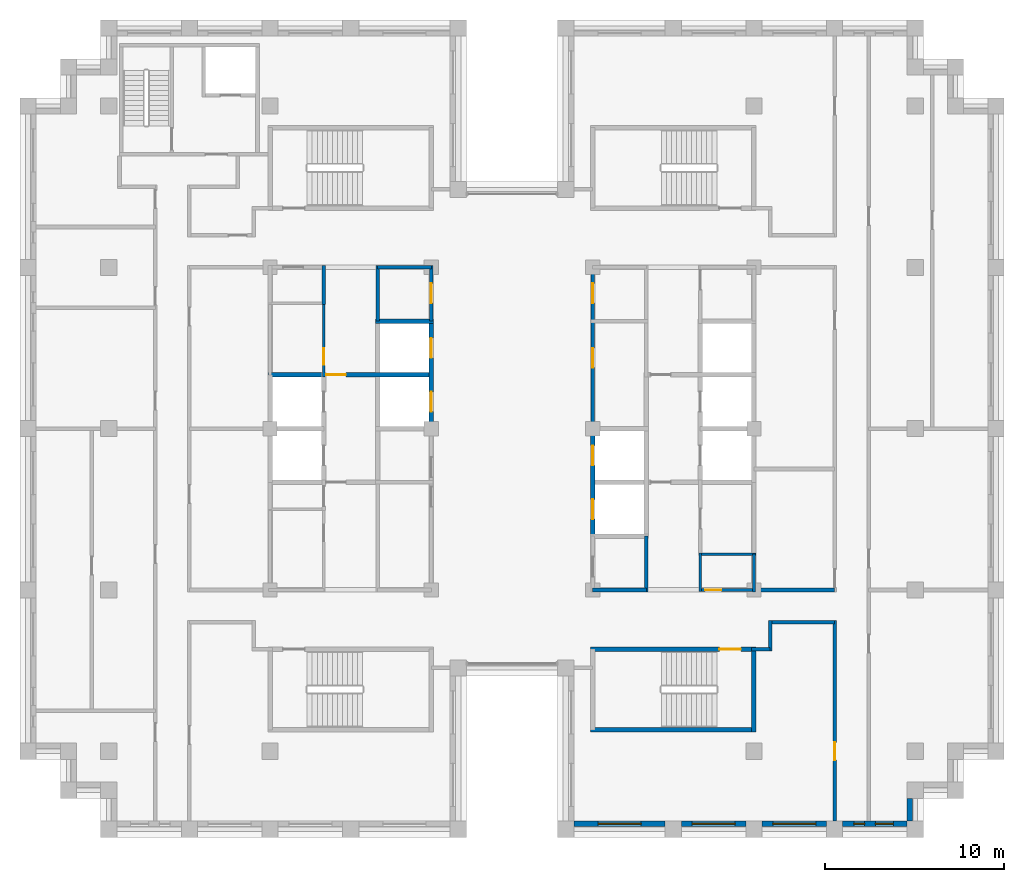
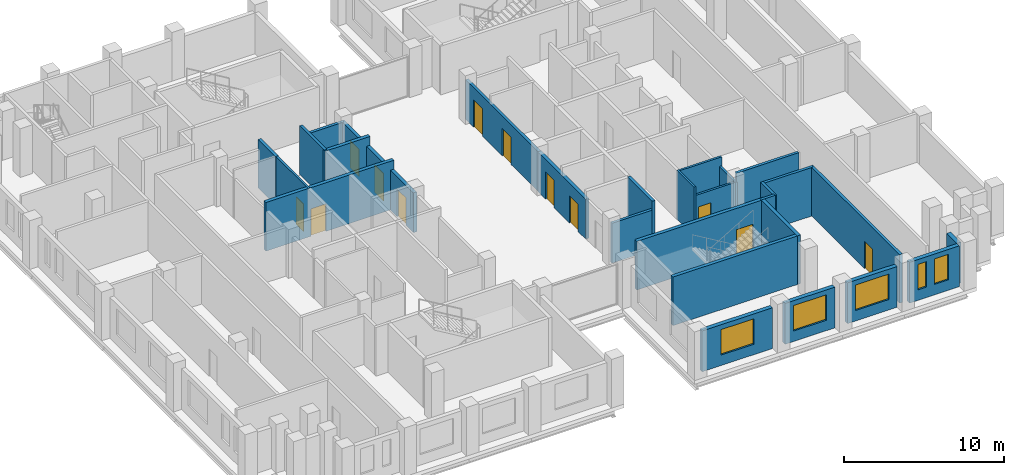
# One storey, part 8 of 13: 29 walls, 12 doors, 5 windows, 17 openings.
"""IFC4 building model written with IfcOpenShell, lengths in metres."""

from ifc_helpers import new_model, si_unit, direction, frame, frame_2d, origin, place, context, subcontext, project, spatial, rectangle, extrude, material, layer, layer_set, type_object, element, fill, save


model = new_model("IFC4")

# Units and contexts
model_context = context("Model", 3, precision=1e-05, world=origin(), true_north=direction((0.0, 1.0)))
body_context = subcontext(model_context, "Body", "Model", "MODEL_VIEW")
ifc_project = project(units=[si_unit("LENGTHUNIT", "METRE"), si_unit("AREAUNIT", "SQUARE_METRE"), si_unit("VOLUMEUNIT", "CUBIC_METRE"), si_unit("PLANEANGLEUNIT", "RADIAN"), si_unit("MASSUNIT", "GRAM", prefix="KILO")], contexts=[model_context])

# Site, building, storey
site_placement = place(None, origin())
site = spatial("IfcSite", under=ifc_project, at=site_placement, CompositionType="ELEMENT")
building_placement = place(site_placement, origin())
building = spatial("IfcBuilding", under=site, at=building_placement, Name="Corbelhall Arena Tower", CompositionType="ELEMENT")
storey_placement = place(building_placement, frame((0.0, 0.0, 270.0)))
storey = spatial("IfcBuildingStorey", under=building, at=storey_placement, Name="L58", CompositionType="ELEMENT", Elevation=270.0)

# Wall, opening, window
ifc_material_1 = material(Name="Precast concrete C40/50 with granite facing", Category="masonry")
ifc_layer_1 = layer(ifc_material_1, 0.300048828125)
ifc_layer_set_1 = layer_set([ifc_layer_1], Name="EV-IW1 Infill panel 300")
wall_type_1 = type_object("IfcWallType", Name="EV-IW1 Infill panel 300", PredefinedType="SOLIDWALL", material=ifc_layer_set_1)
wall_1_placement = place(storey_placement, frame((3.449951171875, -22.050048828125, 0.0), z_axis=(0.0, 0.0, 1.0), x_axis=(1.0, 0.0, 0.0)))
wall_1 = element("IfcWall", 1, at=wall_1_placement, inside=storey, type_object=wall_type_1, Name="Infill panel IW1", PredefinedType="SOLIDWALL", context=body_context, shape_type="SweptSolid", body=[
    extrude(rectangle(XDim=5.10009765625, YDim=0.300048828125, at=frame_2d((2.550048828125, 0.0))), origin(), (0.0, 0.0, 1.0), 3.1201171875),
])
opening_1_placement = place(wall_1_placement, frame((1.35009765625, 0.0, 0.800048828125)))
opening_1 = element("IfcOpeningElement", 2, at=opening_1_placement, cuts=wall_1, Name="Opening WN1", PredefinedType="OPENING", context=body_context, shape_type="SweptSolid", body=[
    extrude(rectangle(XDim=2.39990234375, YDim=1.949951171875, at=frame_2d((1.199951171875, 0.97509765625))), frame((0.0, 0.14990234375, 0.0), z_axis=(0.0, -1.0, 0.0), x_axis=(1.0, 0.0, 0.0)), (0.0, 0.0, 1.0), 0.300048828125),
])
ifc_material_2 = material(Name="Aluminium black anodised", Category="aluminium")
window_type_1 = type_object("IfcWindowType", Name="EV-WN1 Office window", PartitioningType="SINGLE_PANEL", PredefinedType="WINDOW", material=ifc_material_2)
window_1_placement = place(opening_1_placement, origin())
window_1 = element("IfcWindow", 3, at=window_1_placement, inside=storey, type_object=window_type_1, Name="Window WN1", OverallHeight=1.949951171875, OverallWidth=2.39990234375, PartitioningType="SINGLE_PANEL", PredefinedType="WINDOW", context=body_context, shape_type="SweptSolid", body=[
    extrude(rectangle(XDim=2.39990234375, YDim=1.949951171875, at=frame_2d((1.199951171875, 0.97509765625))), frame((0.0, 0.030029296875, 0.0), z_axis=(0.0, -1.0, 0.0), x_axis=(1.0, 0.0, 0.0)), (0.0, 0.0, 1.0), 0.06005859375),
])
fill(opening_1, window_1)

wall_2_placement = place(storey_placement, frame((9.449951171875, -22.050048828125, 0.0), z_axis=(0.0, 0.0, 1.0), x_axis=(1.0, 0.0, 0.0)))
wall_2 = element("IfcWall", 4, at=wall_2_placement, inside=storey, type_object=wall_type_1, Name="Infill panel IW1", PredefinedType="SOLIDWALL", context=body_context, shape_type="SweptSolid", body=[
    extrude(rectangle(XDim=3.60009765625, YDim=0.300048828125, at=frame_2d((1.800048828125, 0.0))), origin(), (0.0, 0.0, 1.0), 3.1201171875),
])
opening_2_placement = place(wall_2_placement, frame((0.60009765625, 0.0, 0.800048828125)))
opening_2 = element("IfcOpeningElement", 5, at=opening_2_placement, cuts=wall_2, Name="Opening WN1", PredefinedType="OPENING", context=body_context, shape_type="SweptSolid", body=[
    extrude(rectangle(XDim=2.39990234375, YDim=1.949951171875, at=frame_2d((1.199951171875, 0.97509765625))), frame((0.0, 0.14990234375, 0.0), z_axis=(0.0, -1.0, 0.0), x_axis=(1.0, 0.0, 0.0)), (0.0, 0.0, 1.0), 0.300048828125),
])
window_2_placement = place(opening_2_placement, origin())
window_2 = element("IfcWindow", 6, at=window_2_placement, inside=storey, type_object=window_type_1, Name="Window WN1", OverallHeight=1.949951171875, OverallWidth=2.39990234375, PartitioningType="SINGLE_PANEL", PredefinedType="WINDOW", context=body_context, shape_type="SweptSolid", body=[
    extrude(rectangle(XDim=2.39990234375, YDim=1.949951171875, at=frame_2d((1.199951171875, 0.97509765625))), frame((0.0, 0.030029296875, 0.0), z_axis=(0.0, -1.0, 0.0), x_axis=(1.0, 0.0, 0.0)), (0.0, 0.0, 1.0), 0.06005859375),
])
fill(opening_2, window_2)

wall_3_placement = place(storey_placement, frame((13.949951171875, -22.050048828125, 0.0), z_axis=(0.0, 0.0, 1.0), x_axis=(1.0, 0.0, 0.0)))
wall_3 = element("IfcWall", 7, at=wall_3_placement, inside=storey, type_object=wall_type_1, Name="Infill panel IW1", PredefinedType="SOLIDWALL", context=body_context, shape_type="SweptSolid", body=[
    extrude(rectangle(XDim=3.60009765625, YDim=0.300048828125, at=frame_2d((1.800048828125, 0.0))), origin(), (0.0, 0.0, 1.0), 3.1201171875),
])
opening_3_placement = place(wall_3_placement, frame((0.60009765625, 0.0, 0.800048828125)))
opening_3 = element("IfcOpeningElement", 8, at=opening_3_placement, cuts=wall_3, Name="Opening WN1", PredefinedType="OPENING", context=body_context, shape_type="SweptSolid", body=[
    extrude(rectangle(XDim=2.39990234375, YDim=1.949951171875, at=frame_2d((1.199951171875, 0.97509765625))), frame((0.0, 0.14990234375, 0.0), z_axis=(0.0, -1.0, 0.0), x_axis=(1.0, 0.0, 0.0)), (0.0, 0.0, 1.0), 0.300048828125),
])
window_3_placement = place(opening_3_placement, origin())
window_3 = element("IfcWindow", 9, at=window_3_placement, inside=storey, type_object=window_type_1, Name="Window WN1", OverallHeight=1.949951171875, OverallWidth=2.39990234375, PartitioningType="SINGLE_PANEL", PredefinedType="WINDOW", context=body_context, shape_type="SweptSolid", body=[
    extrude(rectangle(XDim=2.39990234375, YDim=1.949951171875, at=frame_2d((1.199951171875, 0.97509765625))), frame((0.0, 0.030029296875, 0.0), z_axis=(0.0, -1.0, 0.0), x_axis=(1.0, 0.0, 0.0)), (0.0, 0.0, 1.0), 0.06005859375),
])
fill(opening_3, window_3)

# Wall, openings, windows
wall_4_placement = place(storey_placement, frame((18.449951171875, -22.050048828125, 0.0), z_axis=(0.0, 0.0, 1.0), x_axis=(1.0, 0.0, 0.0)))
wall_4 = element("IfcWall", 10, at=wall_4_placement, inside=storey, type_object=wall_type_1, Name="Infill panel IW1", PredefinedType="SOLIDWALL", context=body_context, shape_type="SweptSolid", body=[
    extrude(rectangle(XDim=3.60009765625, YDim=0.300048828125, at=frame_2d((1.800048828125, 0.0))), origin(), (0.0, 0.0, 1.0), 3.1201171875),
])
opening_4_placement = place(wall_4_placement, frame((0.625, 0.0, 0.800048828125)))
opening_4 = element("IfcOpeningElement", 11, at=opening_4_placement, cuts=wall_4, Name="Opening WN5", PredefinedType="OPENING", context=body_context, shape_type="SweptSolid", body=[
    extrude(rectangle(XDim=0.60009765625, YDim=1.949951171875, at=frame_2d((0.300048828125, 0.97509765625))), frame((0.0, 0.14990234375, 0.0), z_axis=(0.0, -1.0, 0.0), x_axis=(1.0, 0.0, 0.0)), (0.0, 0.0, 1.0), 0.300048828125),
])
opening_5_placement = place(wall_4_placement, frame((1.824951171875, 0.0, 0.800048828125)))
opening_5 = element("IfcOpeningElement", 12, at=opening_5_placement, cuts=wall_4, Name="Opening WN6", PredefinedType="OPENING", context=body_context, shape_type="SweptSolid", body=[
    extrude(rectangle(XDim=1.0, YDim=1.949951171875, at=frame_2d((0.5, 0.97509765625))), frame((0.0, 0.14990234375, 0.0), z_axis=(0.0, -1.0, 0.0), x_axis=(1.0, 0.0, 0.0)), (0.0, 0.0, 1.0), 0.300048828125),
])
window_type_2 = type_object("IfcWindowType", Name="EV-WN5 Office window 600", PartitioningType="SINGLE_PANEL", PredefinedType="WINDOW", material=ifc_material_2)
window_4_placement = place(opening_4_placement, origin())
window_4 = element("IfcWindow", 13, at=window_4_placement, inside=storey, type_object=window_type_2, Name="Window WN5", OverallHeight=1.949951171875, OverallWidth=0.60009765625, PartitioningType="SINGLE_PANEL", PredefinedType="WINDOW", context=body_context, shape_type="SweptSolid", body=[
    extrude(rectangle(XDim=0.60009765625, YDim=1.949951171875, at=frame_2d((0.300048828125, 0.97509765625))), frame((0.0, 0.030029296875, 0.0), z_axis=(0.0, -1.0, 0.0), x_axis=(1.0, 0.0, 0.0)), (0.0, 0.0, 1.0), 0.06005859375),
])
fill(opening_4, window_4)
window_type_3 = type_object("IfcWindowType", Name="EV-WN6 Office window 1000", PartitioningType="SINGLE_PANEL", PredefinedType="WINDOW", material=ifc_material_2)
window_5_placement = place(opening_5_placement, origin())
window_5 = element("IfcWindow", 14, at=window_5_placement, inside=storey, type_object=window_type_3, Name="Window WN6", OverallHeight=1.949951171875, OverallWidth=1.0, PartitioningType="SINGLE_PANEL", PredefinedType="WINDOW", context=body_context, shape_type="SweptSolid", body=[
    extrude(rectangle(XDim=1.0, YDim=1.949951171875, at=frame_2d((0.5, 0.97509765625))), frame((0.0, 0.030029296875, 0.0), z_axis=(0.0, -1.0, 0.0), x_axis=(1.0, 0.0, 0.0)), (0.0, 0.0, 1.0), 0.06005859375),
])
fill(opening_5, window_5)

# Walls
wall_5_placement = place(storey_placement, frame((22.199951171875, -21.89990234375, 0.0), z_axis=(0.0, 0.0, 1.0), x_axis=(0.0, 1.0, 0.0)))
element("IfcWall", 15, at=wall_5_placement, inside=storey, type_object=wall_type_1, Name="Infill panel IW1", PredefinedType="SOLIDWALL", context=body_context, shape_type="SweptSolid", body=[
    extrude(rectangle(XDim=1.27490234375, YDim=0.300048828125, at=frame_2d((0.637451171875, 0.0))), origin(), (0.0, 0.0, 1.0), 3.1201171875),
])
ifc_material_3 = material(Name="Gypsum board on steel stud, acoustic", Category="steel")
ifc_layer_2 = layer(ifc_material_3, 0.199951171875)
ifc_layer_set_2 = layer_set([ifc_layer_2], Name="IN-W-DM200")
wall_type_2 = type_object("IfcWallType", Name="IN-W-DM200", PredefinedType="PARTITIONING", material=ifc_layer_set_2)
wall_6_placement = place(storey_placement, frame((13.5, -9.0, 0.0), z_axis=(0.0, 0.0, 1.0), x_axis=(1.0, 0.0, 0.0)))
element("IfcWall", 16, at=wall_6_placement, inside=storey, type_object=wall_type_2, Name="Partition 028", PredefinedType="PARTITIONING", context=body_context, shape_type="SweptSolid", body=[
    extrude(rectangle(XDim=4.5, YDim=0.199951171875, at=frame_2d((2.25, 0.0))), origin(), (0.0, 0.0, 1.0), 3.719970703125),
])
wall_7_placement = place(storey_placement, frame((14.39990234375, -12.300048828125, 0.0), z_axis=(0.0, 0.0, 1.0), x_axis=(-1.0, 0.0, 0.0)))
element("IfcWall", 17, at=wall_7_placement, inside=storey, type_object=wall_type_2, Name="Partition 030", PredefinedType="PARTITIONING", context=body_context, shape_type="SweptSolid", body=[
    extrude(rectangle(XDim=1.02490234375, YDim=0.199951171875, at=frame_2d((0.512451171875, 0.0))), origin(), (0.0, 0.0, 1.0), 3.719970703125),
])
wall_8_placement = place(storey_placement, frame((14.39990234375, -10.699951171875, 0.0), z_axis=(0.0, 0.0, 1.0), x_axis=(0.0, -1.0, 0.0)))
element("IfcWall", 18, at=wall_8_placement, inside=storey, type_object=wall_type_2, Name="Partition 031", PredefinedType="PARTITIONING", context=body_context, shape_type="SweptSolid", body=[
    extrude(rectangle(XDim=1.699951171875, YDim=0.199951171875, at=frame_2d((0.85009765625, 0.0))), origin(), (0.0, 0.0, 1.0), 3.719970703125),
])

# Wall, opening, door
wall_9_placement = place(storey_placement, frame((18.0, -21.89990234375, 0.0), z_axis=(0.0, 0.0, 1.0), x_axis=(0.0, 1.0, 0.0)))
wall_9 = element("IfcWall", 19, at=wall_9_placement, inside=storey, type_object=wall_type_2, Name="Partition 035", PredefinedType="PARTITIONING", context=body_context, shape_type="SweptSolid", body=[
    extrude(rectangle(XDim=11.199951171875, YDim=0.199951171875, at=frame_2d((5.60009765625, 0.0))), origin(), (0.0, 0.0, 1.0), 3.719970703125),
])
opening_6_placement = place(wall_9_placement, frame((3.39990234375, 0.0, 0.0)))
opening_6 = element("IfcOpeningElement", 20, at=opening_6_placement, cuts=wall_9, Name="Opening 18029", PredefinedType="OPENING", context=body_context, shape_type="SweptSolid", body=[
    extrude(rectangle(XDim=1.0, YDim=2.10009765625, at=frame_2d((0.5, 1.050048828125))), frame((0.0, 0.10009765625, 0.0), z_axis=(0.0, -1.0, 0.0), x_axis=(1.0, 0.0, 0.0)), (0.0, 0.0, 1.0), 0.199951171875),
])
ifc_material_4 = material(Name="Steel door set", Category="steel")
door_type_1 = type_object("IfcDoorType", Name="IN-D-SW100", OperationType="NOTDEFINED", PredefinedType="DOOR", material=ifc_material_4)
door_1_placement = place(opening_6_placement, origin())
door_1 = element("IfcDoor", 21, at=door_1_placement, inside=storey, type_object=door_type_1, Name="Door 029", OperationType="SINGLE_SWING_RIGHT", OverallHeight=2.10009765625, OverallWidth=1.0, PredefinedType="DOOR", context=body_context, shape_type="SweptSolid", body=[
    extrude(rectangle(XDim=1.0, YDim=2.10009765625, at=frame_2d((0.5, 1.050048828125))), frame((0.0, 0.02490234375, 0.0), z_axis=(0.0, -1.0, 0.0), x_axis=(1.0, 0.0, 0.0)), (0.0, 0.0, 1.0), 0.050048828125),
])
fill(opening_6, door_1)

# Walls
wall_10_placement = place(storey_placement, frame((18.0, -10.800048828125, 0.0), z_axis=(0.0, 0.0, 1.0), x_axis=(-1.0, 0.0, 0.0)))
element("IfcWall", 22, at=wall_10_placement, inside=storey, type_object=wall_type_2, Name="Partition 036", PredefinedType="PARTITIONING", context=body_context, shape_type="SweptSolid", body=[
    extrude(rectangle(XDim=3.60009765625, YDim=0.199951171875, at=frame_2d((1.800048828125, 0.0))), origin(), (0.0, 0.0, 1.0), 3.719970703125),
])
ifc_material_5 = material(Name="Concrete block wall", Category="concrete")
ifc_layer_3 = layer(ifc_material_5, 0.199951171875)
ifc_layer_set_3 = layer_set([ifc_layer_3], Name="IN-W-RS200")
wall_type_3 = type_object("IfcWallType", Name="IN-W-RS200", PredefinedType="SOLIDWALL", material=ifc_layer_set_3)
wall_11_placement = place(storey_placement, frame((-10.5, 6.925048828125, 0.0), z_axis=(0.0, 0.0, 1.0), x_axis=(0.0, 1.0, 0.0)))
element("IfcWall", 23, at=wall_11_placement, inside=storey, type_object=wall_type_3, Name="Partition 047", PredefinedType="SOLIDWALL", context=body_context, shape_type="SweptSolid", body=[
    extrude(rectangle(XDim=2.175048828125, YDim=0.199951171875, at=frame_2d((1.08740234375, 0.0))), origin(), (0.0, 0.0, 1.0), 3.719970703125),
])
for number, where, z_axis, x_axis, name in (
    (24, (-7.5, 6.0, 0.0), (0.0, 0.0, 1.0), (0.0, 1.0, 0.0), "Partition 050"),
    (25, (7.5, -6.0, 0.0), (0.0, 0.0, 1.0), (0.0, -1.0, 0.0), "Partition 060"),
):
    element("IfcWall", number, at=place(storey_placement, frame(where, z_axis=z_axis, x_axis=x_axis)), inside=storey, type_object=wall_type_3, Name=name, PredefinedType="SOLIDWALL", context=body_context, shape_type="SweptSolid", body=[
        extrude(rectangle(XDim=3.10009765625, YDim=0.199951171875, at=frame_2d((1.550048828125, 0.0))), origin(), (0.0, 0.0, 1.0), 3.719970703125),
    ])
ifc_layer_4 = layer(ifc_material_5, 0.199951171875)
ifc_layer_set_4 = layer_set([ifc_layer_4], Name="IN-W-RS200 under beam 678 mm")
wall_type_4 = type_object("IfcWallType", Name="IN-W-RS200 under beam 678 mm", PredefinedType="SOLIDWALL", material=ifc_layer_set_4)
wall_12_placement = place(storey_placement, frame((-7.5, 9.0, 0.0), z_axis=(0.0, 0.0, 1.0), x_axis=(1.0, 0.0, 0.0)))
element("IfcWall", 26, at=wall_12_placement, inside=storey, type_object=wall_type_4, Name="Partition 051", PredefinedType="SOLIDWALL", context=body_context, shape_type="SweptSolid", body=[
    extrude(rectangle(XDim=3.0, YDim=0.199951171875, at=frame_2d((1.5, 0.0))), origin(), (0.0, 0.0, 1.0), 3.041748046875),
])

# Wall, opening, door
wall_13_placement = place(storey_placement, frame((-4.5, 9.10009765625, 0.0), z_axis=(0.0, 0.0, 1.0), x_axis=(0.0, -1.0, 0.0)))
wall_13 = element("IfcWall", 27, at=wall_13_placement, inside=storey, type_object=wall_type_4, Name="Partition 054", PredefinedType="SOLIDWALL", context=body_context, shape_type="SweptSolid", body=[
    extrude(rectangle(XDim=3.10009765625, YDim=0.199951171875, at=frame_2d((1.550048828125, 0.0))), origin(), (0.0, 0.0, 1.0), 3.041748046875),
])
opening_7_placement = place(wall_13_placement, frame((1.0, 0.0, 0.0)))
opening_7 = element("IfcOpeningElement", 28, at=opening_7_placement, cuts=wall_13, Name="Opening 18003", PredefinedType="OPENING", context=body_context, shape_type="SweptSolid", body=[
    extrude(rectangle(XDim=1.10009765625, YDim=2.10009765625, at=frame_2d((0.550048828125, 1.050048828125))), frame((0.0, 0.10009765625, 0.0), z_axis=(0.0, -1.0, 0.0), x_axis=(1.0, 0.0, 0.0)), (0.0, 0.0, 1.0), 0.199951171875),
])
door_type_2 = type_object("IfcDoorType", Name="IN-D-FD110", OperationType="NOTDEFINED", PredefinedType="DOOR", material=ifc_material_4)
door_2_placement = place(opening_7_placement, origin())
door_2 = element("IfcDoor", 29, at=door_2_placement, inside=storey, type_object=door_type_2, Name="Door 003", OperationType="SINGLE_SWING_RIGHT", OverallHeight=2.10009765625, OverallWidth=1.10009765625, PredefinedType="DOOR", context=body_context, shape_type="SweptSolid", body=[
    extrude(rectangle(XDim=1.10009765625, YDim=2.10009765625, at=frame_2d((0.550048828125, 1.050048828125))), frame((0.0, 0.02490234375, 0.0), z_axis=(0.0, -1.0, 0.0), x_axis=(1.0, 0.0, 0.0)), (0.0, 0.0, 1.0), 0.050048828125),
])
fill(opening_7, door_2)

# Wall, openings, doors
wall_14_placement = place(storey_placement, frame((4.5, 0.0, 0.0), z_axis=(0.0, 0.0, 1.0), x_axis=(0.0, 1.0, 0.0)))
wall_14 = element("IfcWall", 30, at=wall_14_placement, inside=storey, type_object=wall_type_4, Name="Partition 057", PredefinedType="SOLIDWALL", context=body_context, shape_type="SweptSolid", body=[
    extrude(rectangle(XDim=9.10009765625, YDim=0.199951171875, at=frame_2d((4.550048828125, 0.0))), origin(), (0.0, 0.0, 1.0), 3.041748046875),
])
opening_8_placement = place(wall_14_placement, frame((3.39990234375, 0.0, 0.0)))
opening_8 = element("IfcOpeningElement", 31, at=opening_8_placement, cuts=wall_14, Name="Opening 18011", PredefinedType="OPENING", context=body_context, shape_type="SweptSolid", body=[
    extrude(rectangle(XDim=1.10009765625, YDim=2.10009765625, at=frame_2d((0.550048828125, 1.050048828125))), frame((0.0, 0.10009765625, 0.0), z_axis=(0.0, -1.0, 0.0), x_axis=(1.0, 0.0, 0.0)), (0.0, 0.0, 1.0), 0.199951171875),
])
opening_9_placement = place(wall_14_placement, frame((7.0, 0.0, 0.0)))
opening_9 = element("IfcOpeningElement", 32, at=opening_9_placement, cuts=wall_14, Name="Opening 18012", PredefinedType="OPENING", context=body_context, shape_type="SweptSolid", body=[
    extrude(rectangle(XDim=1.10009765625, YDim=2.10009765625, at=frame_2d((0.550048828125, 1.050048828125))), frame((0.0, 0.10009765625, 0.0), z_axis=(0.0, -1.0, 0.0), x_axis=(1.0, 0.0, 0.0)), (0.0, 0.0, 1.0), 0.199951171875),
])
door_3_placement = place(opening_8_placement, origin())
door_3 = element("IfcDoor", 33, at=door_3_placement, inside=storey, type_object=door_type_2, Name="Door 011", OperationType="SINGLE_SWING_RIGHT", OverallHeight=2.10009765625, OverallWidth=1.10009765625, PredefinedType="DOOR", context=body_context, shape_type="SweptSolid", body=[
    extrude(rectangle(XDim=1.10009765625, YDim=2.10009765625, at=frame_2d((0.550048828125, 1.050048828125))), frame((0.0, 0.02490234375, 0.0), z_axis=(0.0, -1.0, 0.0), x_axis=(1.0, 0.0, 0.0)), (0.0, 0.0, 1.0), 0.050048828125),
])
fill(opening_8, door_3)
door_4_placement = place(opening_9_placement, origin())
door_4 = element("IfcDoor", 34, at=door_4_placement, inside=storey, type_object=door_type_2, Name="Door 012", OperationType="SINGLE_SWING_LEFT", OverallHeight=2.10009765625, OverallWidth=1.10009765625, PredefinedType="DOOR", context=body_context, shape_type="SweptSolid", body=[
    extrude(rectangle(XDim=1.10009765625, YDim=2.10009765625, at=frame_2d((0.550048828125, 1.050048828125))), frame((0.0, 0.02490234375, 0.0), z_axis=(0.0, -1.0, 0.0), x_axis=(1.0, 0.0, 0.0)), (0.0, 0.0, 1.0), 0.050048828125),
])
fill(opening_9, door_4)

# Wall
wall_15_placement = place(storey_placement, frame((7.5, -9.0, 0.0), z_axis=(0.0, 0.0, 1.0), x_axis=(-1.0, 0.0, 0.0)))
element("IfcWall", 35, at=wall_15_placement, inside=storey, type_object=wall_type_4, Name="Partition 059", PredefinedType="SOLIDWALL", context=body_context, shape_type="SweptSolid", body=[
    extrude(rectangle(XDim=3.0, YDim=0.199951171875, at=frame_2d((1.5, 0.0))), origin(), (0.0, 0.0, 1.0), 3.041748046875),
])

# Wall, opening, door
ifc_material_6 = material(Name="Concrete C40/50", Category="concrete")
ifc_layer_5 = layer(ifc_material_6, 0.25)
ifc_layer_set_5 = layer_set([ifc_layer_5], Name="IN-W-SH250")
wall_type_5 = type_object("IfcWallType", Name="IN-W-SH250", PredefinedType="SOLIDWALL", material=ifc_layer_set_5)
wall_16_placement = place(storey_placement, frame((-13.625, 3.0, 0.0), z_axis=(0.0, 0.0, 1.0), x_axis=(1.0, 0.0, 0.0)))
wall_16 = element("IfcWall", 36, at=wall_16_placement, inside=storey, type_object=wall_type_5, Name="Shaft wall 068", PredefinedType="SOLIDWALL", context=body_context, shape_type="SweptSolid", body=[
    extrude(rectangle(XDim=9.25, YDim=0.25, at=frame_2d((4.625, 0.0))), origin(), (0.0, 0.0, 1.0), 3.719970703125),
])
opening_10_placement = place(wall_16_placement, frame((3.25, 0.0, 0.0)))
opening_10 = element("IfcOpeningElement", 37, at=opening_10_placement, cuts=wall_16, Name="Opening 18005", PredefinedType="OPENING", context=body_context, shape_type="SweptSolid", body=[
    extrude(rectangle(XDim=1.10009765625, YDim=2.10009765625, at=frame_2d((0.550048828125, 1.050048828125))), frame((0.0, 0.125, 0.0), z_axis=(0.0, -1.0, 0.0), x_axis=(1.0, 0.0, 0.0)), (0.0, 0.0, 1.0), 0.25),
])
door_5_placement = place(opening_10_placement, origin())
door_5 = element("IfcDoor", 38, at=door_5_placement, inside=storey, type_object=door_type_2, Name="Door 005", OperationType="SINGLE_SWING_RIGHT", OverallHeight=2.10009765625, OverallWidth=1.10009765625, PredefinedType="DOOR", context=body_context, shape_type="SweptSolid", body=[
    extrude(rectangle(XDim=1.10009765625, YDim=2.10009765625, at=frame_2d((0.550048828125, 1.050048828125))), frame((0.0, 0.02490234375, 0.0), z_axis=(0.0, -1.0, 0.0), x_axis=(1.0, 0.0, 0.0)), (0.0, 0.0, 1.0), 0.050048828125),
])
fill(opening_10, door_5)

# Wall
wall_17_placement = place(storey_placement, frame((-7.625, 6.0, 0.0), z_axis=(0.0, 0.0, 1.0), x_axis=(1.0, 0.0, 0.0)))
element("IfcWall", 39, at=wall_17_placement, inside=storey, type_object=wall_type_5, Name="Shaft wall 073", PredefinedType="SOLIDWALL", context=body_context, shape_type="SweptSolid", body=[
    extrude(rectangle(XDim=3.25, YDim=0.25, at=frame_2d((1.625, 0.0))), origin(), (0.0, 0.0, 1.0), 3.719970703125),
])

# Wall, openings, doors
ifc_layer_6 = layer(ifc_material_6, 0.25)
ifc_layer_set_6 = layer_set([ifc_layer_6], Name="IN-W-SH250 under beam 678 mm")
wall_type_6 = type_object("IfcWallType", Name="IN-W-SH250 under beam 678 mm", PredefinedType="SOLIDWALL", material=ifc_layer_set_6)
wall_18_placement = place(storey_placement, frame((-4.5, 6.0, 0.0), z_axis=(0.0, 0.0, 1.0), x_axis=(0.0, -1.0, 0.0)))
wall_18 = element("IfcWall", 40, at=wall_18_placement, inside=storey, type_object=wall_type_6, Name="Shaft wall 075", PredefinedType="SOLIDWALL", context=body_context, shape_type="SweptSolid", body=[
    extrude(rectangle(XDim=6.0, YDim=0.25, at=frame_2d((3.0, 0.0))), origin(), (0.0, 0.0, 1.0), 3.041748046875),
])
opening_11_placement = place(wall_18_placement, frame((3.949951171875, 0.0, 0.0)))
opening_11 = element("IfcOpeningElement", 41, at=opening_11_placement, cuts=wall_18, Name="Opening LD", PredefinedType="OPENING", context=body_context, shape_type="SweptSolid", body=[
    extrude(rectangle(XDim=1.10009765625, YDim=2.10009765625, at=frame_2d((0.550048828125, 1.050048828125))), frame((0.0, 0.125, 0.0), z_axis=(0.0, -1.0, 0.0), x_axis=(1.0, 0.0, 0.0)), (0.0, 0.0, 1.0), 0.25),
])
opening_12_placement = place(wall_18_placement, frame((0.949951171875, 0.0, 0.0)))
opening_12 = element("IfcOpeningElement", 42, at=opening_12_placement, cuts=wall_18, Name="Opening LD", PredefinedType="OPENING", context=body_context, shape_type="SweptSolid", body=[
    extrude(rectangle(XDim=1.10009765625, YDim=2.10009765625, at=frame_2d((0.550048828125, 1.050048828125))), frame((0.0, 0.125, 0.0), z_axis=(0.0, -1.0, 0.0), x_axis=(1.0, 0.0, 0.0)), (0.0, 0.0, 1.0), 0.25),
])
door_type_3 = type_object("IfcDoorType", Name="IN-D-LD110", OperationType="NOTDEFINED", PredefinedType="DOOR", material=ifc_material_4)
door_6_placement = place(opening_11_placement, origin())
door_6 = element("IfcDoor", 43, at=door_6_placement, inside=storey, type_object=door_type_3, Name="Landing door W4", OperationType="SLIDING_TO_LEFT", OverallHeight=2.10009765625, OverallWidth=1.10009765625, PredefinedType="DOOR", context=body_context, shape_type="SweptSolid", body=[
    extrude(rectangle(XDim=1.10009765625, YDim=2.10009765625, at=frame_2d((0.550048828125, 1.050048828125))), frame((0.0, 0.02490234375, 0.0), z_axis=(0.0, -1.0, 0.0), x_axis=(1.0, 0.0, 0.0)), (0.0, 0.0, 1.0), 0.050048828125),
])
fill(opening_11, door_6)
door_7_placement = place(opening_12_placement, origin())
door_7 = element("IfcDoor", 44, at=door_7_placement, inside=storey, type_object=door_type_3, Name="Landing door W5", OperationType="SLIDING_TO_LEFT", OverallHeight=2.10009765625, OverallWidth=1.10009765625, PredefinedType="DOOR", context=body_context, shape_type="SweptSolid", body=[
    extrude(rectangle(XDim=1.10009765625, YDim=2.10009765625, at=frame_2d((0.550048828125, 1.050048828125))), frame((0.0, 0.02490234375, 0.0), z_axis=(0.0, -1.0, 0.0), x_axis=(1.0, 0.0, 0.0)), (0.0, 0.0, 1.0), 0.050048828125),
])
fill(opening_12, door_7)

wall_19_placement = place(storey_placement, frame((4.5, -6.0, 0.0), z_axis=(0.0, 0.0, 1.0), x_axis=(0.0, 1.0, 0.0)))
wall_19 = element("IfcWall", 45, at=wall_19_placement, inside=storey, type_object=wall_type_6, Name="Shaft wall 079", PredefinedType="SOLIDWALL", context=body_context, shape_type="SweptSolid", body=[
    extrude(rectangle(XDim=6.0, YDim=0.25, at=frame_2d((3.0, 0.0))), origin(), (0.0, 0.0, 1.0), 3.041748046875),
])
opening_13_placement = place(wall_19_placement, frame((0.949951171875, 0.0, 0.0)))
opening_13 = element("IfcOpeningElement", 46, at=opening_13_placement, cuts=wall_19, Name="Opening LD", PredefinedType="OPENING", context=body_context, shape_type="SweptSolid", body=[
    extrude(rectangle(XDim=1.10009765625, YDim=2.10009765625, at=frame_2d((0.550048828125, 1.050048828125))), frame((0.0, 0.125, 0.0), z_axis=(0.0, -1.0, 0.0), x_axis=(1.0, 0.0, 0.0)), (0.0, 0.0, 1.0), 0.25),
])
opening_14_placement = place(wall_19_placement, frame((3.949951171875, 0.0, 0.0)))
opening_14 = element("IfcOpeningElement", 47, at=opening_14_placement, cuts=wall_19, Name="Opening LD", PredefinedType="OPENING", context=body_context, shape_type="SweptSolid", body=[
    extrude(rectangle(XDim=1.10009765625, YDim=2.10009765625, at=frame_2d((0.550048828125, 1.050048828125))), frame((0.0, 0.125, 0.0), z_axis=(0.0, -1.0, 0.0), x_axis=(1.0, 0.0, 0.0)), (0.0, 0.0, 1.0), 0.25),
])
door_8_placement = place(opening_13_placement, origin())
door_8 = element("IfcDoor", 48, at=door_8_placement, inside=storey, type_object=door_type_3, Name="Landing door E2", OperationType="SLIDING_TO_LEFT", OverallHeight=2.10009765625, OverallWidth=1.10009765625, PredefinedType="DOOR", context=body_context, shape_type="SweptSolid", body=[
    extrude(rectangle(XDim=1.10009765625, YDim=2.10009765625, at=frame_2d((0.550048828125, 1.050048828125))), frame((0.0, 0.02490234375, 0.0), z_axis=(0.0, -1.0, 0.0), x_axis=(1.0, 0.0, 0.0)), (0.0, 0.0, 1.0), 0.050048828125),
])
fill(opening_13, door_8)
door_9_placement = place(opening_14_placement, origin())
door_9 = element("IfcDoor", 49, at=door_9_placement, inside=storey, type_object=door_type_3, Name="Landing door E3", OperationType="SLIDING_TO_LEFT", OverallHeight=2.10009765625, OverallWidth=1.10009765625, PredefinedType="DOOR", context=body_context, shape_type="SweptSolid", body=[
    extrude(rectangle(XDim=1.10009765625, YDim=2.10009765625, at=frame_2d((0.550048828125, 1.050048828125))), frame((0.0, 0.02490234375, 0.0), z_axis=(0.0, -1.0, 0.0), x_axis=(1.0, 0.0, 0.0)), (0.0, 0.0, 1.0), 0.050048828125),
])
fill(opening_14, door_9)

# Walls
ifc_layer_7 = layer(ifc_material_6, 0.25)
ifc_layer_set_7 = layer_set([ifc_layer_7], Name="IN-W-ST250")
wall_type_7 = type_object("IfcWallType", Name="IN-W-ST250", PredefinedType="SOLIDWALL", material=ifc_layer_set_7)
wall_20_placement = place(storey_placement, frame((13.5, -16.800048828125, 0.0), z_axis=(0.0, 0.0, 1.0), x_axis=(-1.0, 0.0, 0.0)))
element("IfcWall", 50, at=wall_20_placement, inside=storey, type_object=wall_type_7, Name="Shaft wall 098", PredefinedType="SOLIDWALL", context=body_context, shape_type="SweptSolid", body=[
    extrude(rectangle(XDim=9.125, YDim=0.25, at=frame_2d((4.5625, 0.0))), origin(), (0.0, 0.0, 1.0), 3.719970703125),
])
wall_21_placement = place(storey_placement, frame((13.5, -12.300048828125, 0.0), z_axis=(0.0, 0.0, 1.0), x_axis=(0.0, -1.0, 0.0)))
element("IfcWall", 51, at=wall_21_placement, inside=storey, type_object=wall_type_7, Name="Shaft wall 099", PredefinedType="SOLIDWALL", context=body_context, shape_type="SweptSolid", body=[
    extrude(rectangle(XDim=4.625, YDim=0.25, at=frame_2d((2.3125, 0.0))), origin(), (0.0, 0.0, 1.0), 3.719970703125),
])

# Wall, opening, door
wall_22_placement = place(storey_placement, frame((13.625, -12.300048828125, 0.0), z_axis=(0.0, 0.0, 1.0), x_axis=(-1.0, 0.0, 0.0)))
wall_22 = element("IfcWall", 52, at=wall_22_placement, inside=storey, type_object=wall_type_7, Name="Shaft wall 101", PredefinedType="SOLIDWALL", context=body_context, shape_type="SweptSolid", body=[
    extrude(rectangle(XDim=9.25, YDim=0.25, at=frame_2d((4.625, 0.0))), origin(), (0.0, 0.0, 1.0), 3.719970703125),
])
opening_15_placement = place(wall_22_placement, frame((0.85009765625, 0.0, 0.0)))
opening_15 = element("IfcOpeningElement", 53, at=opening_15_placement, cuts=wall_22, Name="Opening 18021", PredefinedType="OPENING", context=body_context, shape_type="SweptSolid", body=[
    extrude(rectangle(XDim=1.199951171875, YDim=2.10009765625, at=frame_2d((0.60009765625, 1.050048828125))), frame((0.0, 0.125, 0.0), z_axis=(0.0, -1.0, 0.0), x_axis=(1.0, 0.0, 0.0)), (0.0, 0.0, 1.0), 0.25),
])
door_type_4 = type_object("IfcDoorType", Name="IN-D-ST120", OperationType="NOTDEFINED", PredefinedType="DOOR", material=ifc_material_4)
door_10_placement = place(opening_15_placement, origin())
door_10 = element("IfcDoor", 54, at=door_10_placement, inside=storey, type_object=door_type_4, Name="Door 021", OperationType="SINGLE_SWING_RIGHT", OverallHeight=2.10009765625, OverallWidth=1.199951171875, PredefinedType="DOOR", context=body_context, shape_type="SweptSolid", body=[
    extrude(rectangle(XDim=1.199951171875, YDim=2.10009765625, at=frame_2d((0.60009765625, 1.050048828125))), frame((0.0, 0.02490234375, 0.0), z_axis=(0.0, -1.0, 0.0), x_axis=(1.0, 0.0, 0.0)), (0.0, 0.0, 1.0), 0.050048828125),
])
fill(opening_15, door_10)

ifc_material_7 = material(Name="Gypsum board on steel stud, moisture resistant", Category="steel")
ifc_layer_8 = layer(ifc_material_7, 0.14990234375)
ifc_layer_set_8 = layer_set([ifc_layer_8], Name="IN-W-WC150")
wall_type_8 = type_object("IfcWallType", Name="IN-W-WC150", PredefinedType="PARTITIONING", material=ifc_layer_set_8)
wall_23_placement = place(storey_placement, frame((-10.5, 2.875, 0.0), z_axis=(0.0, 0.0, 1.0), x_axis=(0.0, 1.0, 0.0)))
wall_23 = element("IfcWall", 55, at=wall_23_placement, inside=storey, type_object=wall_type_8, Name="Partition 108", PredefinedType="PARTITIONING", context=body_context, shape_type="SweptSolid", body=[
    extrude(rectangle(XDim=4.199951171875, YDim=0.14990234375, at=frame_2d((2.10009765625, 0.0))), origin(), (0.0, 0.0, 1.0), 3.719970703125),
])
opening_16_placement = place(wall_23_placement, frame((0.699951171875, 0.0, 0.0)))
opening_16 = element("IfcOpeningElement", 56, at=opening_16_placement, cuts=wall_23, Name="Opening 18008", PredefinedType="OPENING", context=body_context, shape_type="SweptSolid", body=[
    extrude(rectangle(XDim=0.89990234375, YDim=2.10009765625, at=frame_2d((0.449951171875, 1.050048828125))), frame((0.0, 0.074951171875, 0.0), z_axis=(0.0, -1.0, 0.0), x_axis=(1.0, 0.0, 0.0)), (0.0, 0.0, 1.0), 0.14990234375),
])
ifc_material_8 = material(Name="Timber door set", Category="wood")
door_type_5 = type_object("IfcDoorType", Name="IN-D-SW90", OperationType="NOTDEFINED", PredefinedType="DOOR", material=ifc_material_8)
door_11_placement = place(opening_16_placement, origin())
door_11 = element("IfcDoor", 57, at=door_11_placement, inside=storey, type_object=door_type_5, Name="Door 008", OperationType="SINGLE_SWING_LEFT", OverallHeight=2.10009765625, OverallWidth=0.89990234375, PredefinedType="DOOR", context=body_context, shape_type="SweptSolid", body=[
    extrude(rectangle(XDim=0.89990234375, YDim=2.10009765625, at=frame_2d((0.449951171875, 1.050048828125))), frame((0.0, 0.02490234375, 0.0), z_axis=(0.0, -1.0, 0.0), x_axis=(1.0, 0.0, 0.0)), (0.0, 0.0, 1.0), 0.050048828125),
])
fill(opening_16, door_11)

# Walls
wall_24_placement = place(storey_placement, frame((10.5, -7.0, 0.0), z_axis=(0.0, 0.0, 1.0), x_axis=(1.0, 0.0, 0.0)))
element("IfcWall", 58, at=wall_24_placement, inside=storey, type_object=wall_type_8, Name="Partition 109", PredefinedType="PARTITIONING", context=body_context, shape_type="SweptSolid", body=[
    extrude(rectangle(XDim=3.10009765625, YDim=0.14990234375, at=frame_2d((1.550048828125, 0.0))), origin(), (0.0, 0.0, 1.0), 3.719970703125),
])
wall_25_placement = place(storey_placement, frame((10.5, -6.925048828125, 0.0), z_axis=(0.0, 0.0, 1.0), x_axis=(0.0, -1.0, 0.0)))
element("IfcWall", 59, at=wall_25_placement, inside=storey, type_object=wall_type_8, Name="Partition 110", PredefinedType="PARTITIONING", context=body_context, shape_type="SweptSolid", body=[
    extrude(rectangle(XDim=2.14990234375, YDim=0.14990234375, at=frame_2d((1.074951171875, 0.0))), origin(), (0.0, 0.0, 1.0), 3.719970703125),
])
ifc_layer_9 = layer(ifc_material_7, 0.14990234375)
ifc_layer_set_9 = layer_set([ifc_layer_9], Name="IN-W-WC150 under beam 678 mm")
wall_type_9 = type_object("IfcWallType", Name="IN-W-WC150 under beam 678 mm", PredefinedType="PARTITIONING", material=ifc_layer_set_9)
wall_26_placement = place(storey_placement, frame((13.5, -7.0, 0.0), z_axis=(0.0, 0.0, 1.0), x_axis=(0.0, -1.0, 0.0)))
element("IfcWall", 60, at=wall_26_placement, inside=storey, type_object=wall_type_9, Name="Partition 111", PredefinedType="PARTITIONING", context=body_context, shape_type="SweptSolid", body=[
    extrude(rectangle(XDim=2.10009765625, YDim=0.14990234375, at=frame_2d((1.050048828125, 0.0))), origin(), (0.0, 0.0, 1.0), 3.041748046875),
])

# Wall, opening, door
wall_27_placement = place(storey_placement, frame((13.574951171875, -9.0, 0.0), z_axis=(0.0, 0.0, 1.0), x_axis=(-1.0, 0.0, 0.0)))
wall_27 = element("IfcWall", 61, at=wall_27_placement, inside=storey, type_object=wall_type_9, Name="Partition 112", PredefinedType="PARTITIONING", context=body_context, shape_type="SweptSolid", body=[
    extrude(rectangle(XDim=3.074951171875, YDim=0.14990234375, at=frame_2d((1.53759765625, 0.0))), origin(), (0.0, 0.0, 1.0), 3.041748046875),
])
opening_17_placement = place(wall_27_placement, frame((1.89990234375, 0.0, 0.0)))
opening_17 = element("IfcOpeningElement", 62, at=opening_17_placement, cuts=wall_27, Name="Opening 18015", PredefinedType="OPENING", context=body_context, shape_type="SweptSolid", body=[
    extrude(rectangle(XDim=0.89990234375, YDim=2.10009765625, at=frame_2d((0.449951171875, 1.050048828125))), frame((0.0, 0.074951171875, 0.0), z_axis=(0.0, -1.0, 0.0), x_axis=(1.0, 0.0, 0.0)), (0.0, 0.0, 1.0), 0.14990234375),
])
door_12_placement = place(opening_17_placement, origin())
door_12 = element("IfcDoor", 63, at=door_12_placement, inside=storey, type_object=door_type_5, Name="Door 015", OperationType="SINGLE_SWING_RIGHT", OverallHeight=2.10009765625, OverallWidth=0.89990234375, PredefinedType="DOOR", context=body_context, shape_type="SweptSolid", body=[
    extrude(rectangle(XDim=0.89990234375, YDim=2.10009765625, at=frame_2d((0.449951171875, 1.050048828125))), frame((0.0, 0.02490234375, 0.0), z_axis=(0.0, -1.0, 0.0), x_axis=(1.0, 0.0, 0.0)), (0.0, 0.0, 1.0), 0.050048828125),
])
fill(opening_17, door_12)

save(model, "model.ifc")
